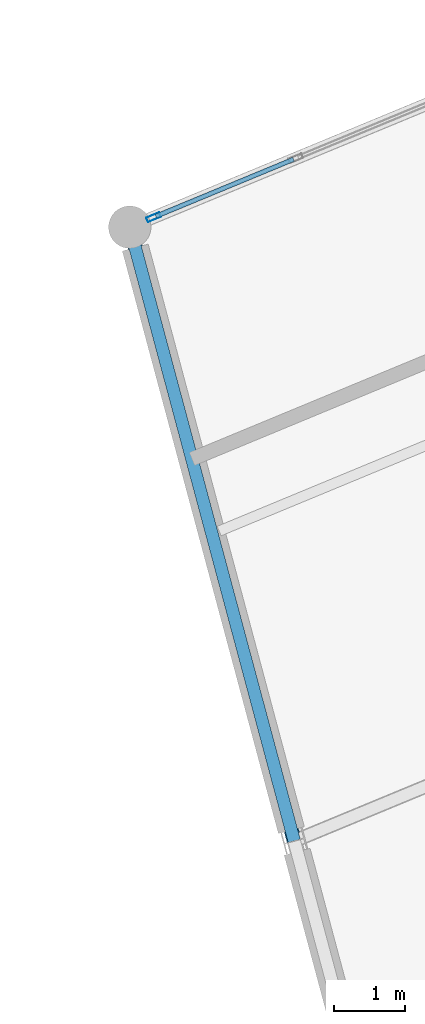
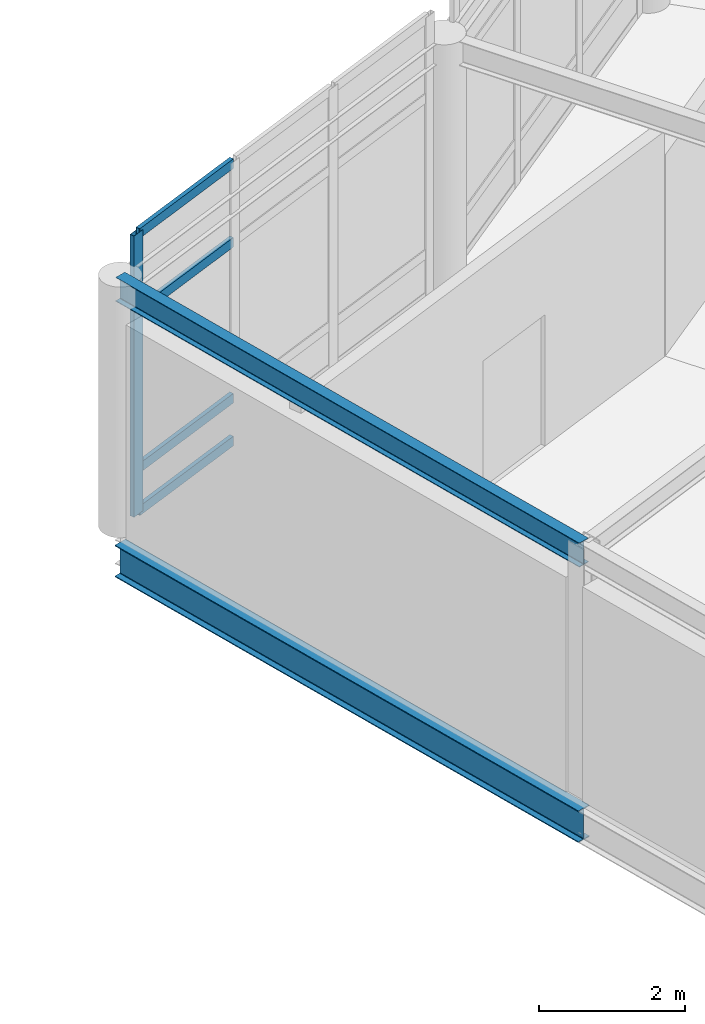
# One storey, part 41 of 170: 5 members, 2 beams, 1 element without a shape of its own.
"""IFC4 building model written with IfcOpenShell, lengths in metres."""

from ifc_helpers import new_model, si_unit, direction, frame, origin, origin_2d, place, context, subcontext, project, spatial, hollow_rectangle, i_section, extrude, material, material_profile, profile_set, type_object, element, aggregate, save


model = new_model("IFC4")

# Units and contexts
model_context = context("Model", 3, precision=1e-05, world=origin(), true_north=direction((0.0, 1.0)))
body_context = subcontext(model_context, "Body", "Model", "MODEL_VIEW")
ifc_project = project(units=[si_unit("LENGTHUNIT", "METRE"), si_unit("AREAUNIT", "SQUARE_METRE"), si_unit("VOLUMEUNIT", "CUBIC_METRE"), si_unit("PLANEANGLEUNIT", "RADIAN"), si_unit("MASSUNIT", "GRAM", prefix="KILO")], contexts=[model_context])

# Site, building, storey
site_placement = place(None, origin())
site = spatial("IfcSite", under=ifc_project, at=site_placement, CompositionType="ELEMENT")
building_placement = place(site_placement, origin())
building = spatial("IfcBuilding", under=site, at=building_placement, Name="Vondelvale Polytechnic", CompositionType="ELEMENT")
storey_placement = place(building_placement, frame((0.0, 0.0, 5.39990234375)))
storey = spatial("IfcBuildingStorey", under=building, at=storey_placement, Name="L01", CompositionType="ELEMENT", Elevation=5.39990234375)

# Beams
ifc_material_1 = material(Name="Steel 300PLUS (fy = 300 MPa)", Category="steel")
ifc_material_profile_1 = material_profile(ifc_material_1, i_section(OverallWidth=0.177978515625, OverallDepth=0.403076171875, WebThickness=0.007568359375, FlangeThickness=0.010986328125, FilletRadius=0.011474609375, at=origin_2d()), Name="410UB53.7")
ifc_profile_set_1 = profile_set([ifc_material_profile_1], Name="Steel 300PLUS (fy = 300 MPa)")
beam_type_1 = type_object("IfcBeamType", Name="BM-UB410L", PredefinedType="BEAM", material=ifc_profile_set_1)
beam_1_placement = place(storey_placement, frame((109.246826171875, 44.9541015625, 3.99853515625), z_axis=(0.258840941576, -0.965919958881, 0.0), x_axis=(0.965919958881, 0.258840941576, 0.0)))
element("IfcBeam", 1, at=beam_1_placement, inside=storey, type_object=beam_type_1, Name="L01 REG B-23", PredefinedType="BEAM", context=body_context, shape_type="SweptSolid", body=[
    extrude(i_section(OverallWidth=0.177978515625, OverallDepth=0.403076171875, WebThickness=0.007568359375, FlangeThickness=0.010986328125, FilletRadius=0.011474609375, at=origin_2d()), origin(), (0.0, 0.0, 1.0), 9.0),
])
ifc_material_profile_2 = material_profile(ifc_material_1, i_section(OverallWidth=0.208984375, OverallDepth=0.532958984375, WebThickness=0.01025390625, FlangeThickness=0.015625, FilletRadius=0.013916015625, at=origin_2d()), Name="530UB92.4")
ifc_profile_set_2 = profile_set([ifc_material_profile_2], Name="Steel 300PLUS (fy = 300 MPa)")
beam_type_2 = type_object("IfcBeamType", Name="BM-UB530", PredefinedType="BEAM", material=ifc_profile_set_2)
beam_2_placement = place(storey_placement, frame((109.246826171875, 44.9541015625, -0.54638671875), z_axis=(0.258840941576, -0.965919958881, 0.0), x_axis=(0.965919958881, 0.258840941576, 0.0)))
element("IfcBeam", 2, at=beam_2_placement, inside=storey, type_object=beam_type_2, Name="L01 RG B-11", PredefinedType="BEAM", context=body_context, shape_type="SweptSolid", body=[
    extrude(i_section(OverallWidth=0.208984375, OverallDepth=0.532958984375, WebThickness=0.01025390625, FlangeThickness=0.015625, FilletRadius=0.013916015625, at=origin_2d()), origin(), (0.0, 0.0, 1.0), 9.0),
])

# Curtain wall, members
ifc_material_2 = material(Name="Anodised extruded aluminium 6063-T6", Category="aluminium")
curtain_wall_type = type_object("IfcCurtainWallType", Name="CW-RING-CLOISTER", PredefinedType="NOTDEFINED", material=ifc_material_2)
curtain_wall_placement = place(storey_placement, origin())
curtain_wall = element("IfcCurtainWall", 3, at=curtain_wall_placement, inside=storey, type_object=curtain_wall_type, Name="L01 architectural curtain wall CW-03-337", PredefinedType="NOTDEFINED")
ifc_material_profile_3 = material_profile(ifc_material_2, hollow_rectangle(XDim=0.070068359375, YDim=0.199951171875, WallThickness=0.00390625, at=origin_2d()), Name="CW-MUL-200x70")
ifc_profile_set_3 = profile_set([ifc_material_profile_3], Name="Anodised extruded aluminium 6063-T6")
member_type_1 = type_object("IfcMemberType", Name="CW-MUL-70x200", PredefinedType="MULLION", material=ifc_profile_set_3)
member_1_placement = place(storey_placement, frame((109.584228515625, 45.09375, 0.0), z_axis=(0.0, 0.0, 1.0), x_axis=(-0.382678531697, 0.923881562419, 0.0)))
member_1 = element("IfcMember", 4, at=member_1_placement, type_object=member_type_1, Name="CW-03-337 mullion 1", PredefinedType="MULLION", context=body_context, shape_type="SweptSolid", body=[
    extrude(hollow_rectangle(XDim=0.070068359375, YDim=0.199951171875, WallThickness=0.00390625, at=origin_2d()), origin(), (0.0, 0.0, 1.0), 4.71337890625),
])
ifc_material_profile_4 = material_profile(ifc_material_2, hollow_rectangle(XDim=0.06494140625, YDim=0.159912109375, WallThickness=0.00341796875, at=origin_2d()), Name="CW-TRN-160x65")
ifc_profile_set_4 = profile_set([ifc_material_profile_4], Name="Anodised extruded aluminium 6063-T6")
member_type_2 = type_object("IfcMemberType", Name="CW-TRN-70x160", PredefinedType="USERDEFINED", material=ifc_profile_set_4)
member_2_placement = place(storey_placement, frame((109.616455078125, 45.107177734375, 0.03271484375), z_axis=(0.923861804277, 0.382726229306, 0.0), x_axis=(-0.382726229306, 0.923861804277, 0.0)))
member_2 = element("IfcMember", 5, at=member_2_placement, type_object=member_type_2, Name="CW-03-337 transom 1.1", ObjectType="TRANSOM", PredefinedType="USERDEFINED", context=body_context, shape_type="SweptSolid", body=[
    extrude(hollow_rectangle(XDim=0.06494140625, YDim=0.159912109375, WallThickness=0.00341796875, at=origin_2d()), origin(), (0.0, 0.0, 1.0), 2.111328125),
])
member_3_placement = place(storey_placement, frame((109.616455078125, 45.107177734375, 0.75), z_axis=(0.923861804277, 0.382726229306, 0.0), x_axis=(-0.382726229306, 0.923861804277, 0.0)))
member_3 = element("IfcMember", 6, at=member_3_placement, type_object=member_type_2, Name="CW-03-337 transom 1.2", ObjectType="TRANSOM", PredefinedType="USERDEFINED", context=body_context, shape_type="SweptSolid", body=[
    extrude(hollow_rectangle(XDim=0.06494140625, YDim=0.159912109375, WallThickness=0.00341796875, at=origin_2d()), origin(), (0.0, 0.0, 1.0), 2.111328125),
])
member_4_placement = place(storey_placement, frame((109.616455078125, 45.107177734375, 3.36328125), z_axis=(0.923861804277, 0.382726229306, 0.0), x_axis=(-0.382726229306, 0.923861804277, 0.0)))
member_4 = element("IfcMember", 7, at=member_4_placement, type_object=member_type_2, Name="CW-03-337 transom 1.3", ObjectType="TRANSOM", PredefinedType="USERDEFINED", context=body_context, shape_type="SweptSolid", body=[
    extrude(hollow_rectangle(XDim=0.06494140625, YDim=0.159912109375, WallThickness=0.00341796875, at=origin_2d()), origin(), (0.0, 0.0, 1.0), 2.111328125),
])
member_5_placement = place(storey_placement, frame((109.616455078125, 45.107177734375, 4.680908203125), z_axis=(0.923861804277, 0.382726229306, 0.0), x_axis=(-0.382726229306, 0.923861804277, 0.0)))
member_5 = element("IfcMember", 8, at=member_5_placement, type_object=member_type_2, Name="CW-03-337 transom 1.4", ObjectType="TRANSOM", PredefinedType="USERDEFINED", context=body_context, shape_type="SweptSolid", body=[
    extrude(hollow_rectangle(XDim=0.06494140625, YDim=0.159912109375, WallThickness=0.00341796875, at=origin_2d()), origin(), (0.0, 0.0, 1.0), 2.111328125),
])
aggregate(curtain_wall, [member_1, member_2, member_3, member_4, member_5])

save(model, "model.ifc")
